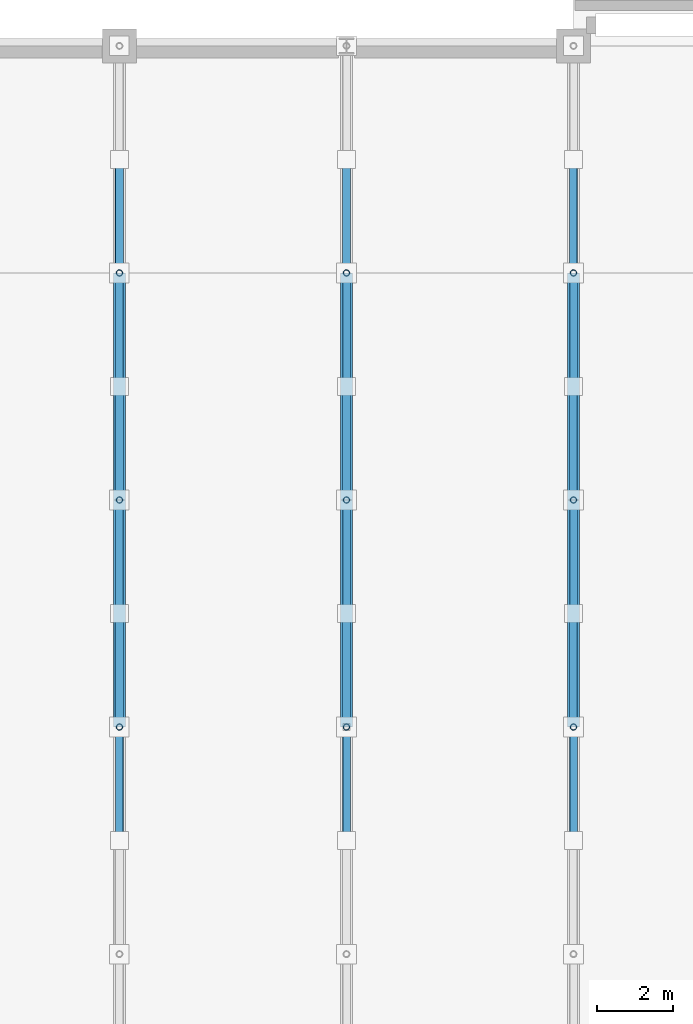
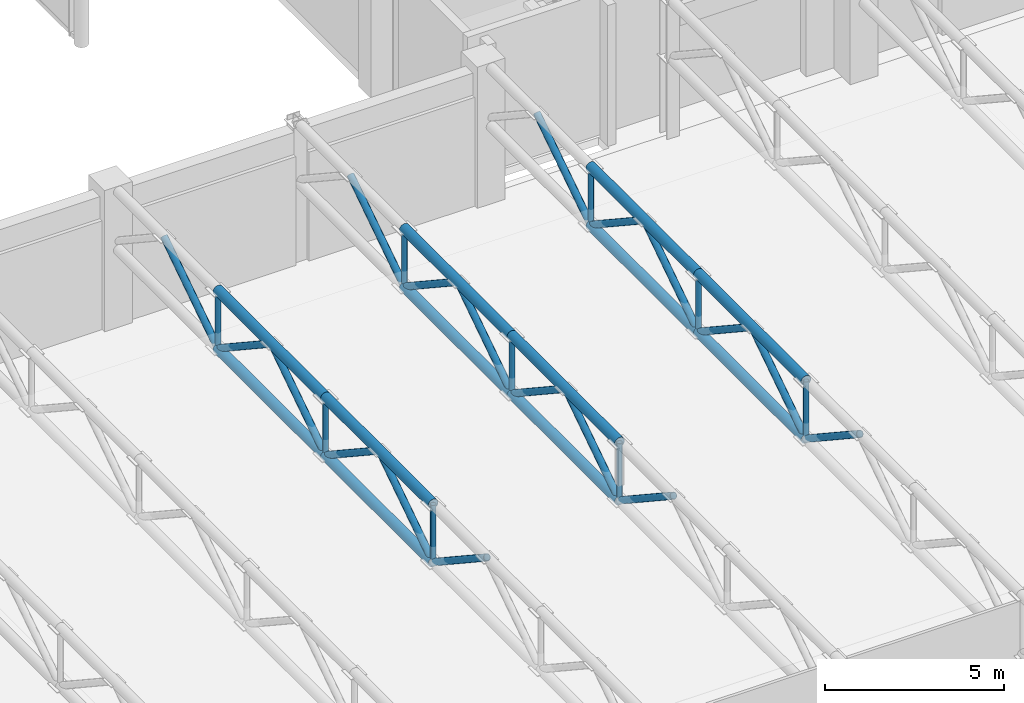
# One storey, part 26 of 123: 39 members.
"""IFC4 building model written with IfcOpenShell, lengths in metres."""

from ifc_helpers import new_model, si_unit, direction, frame, origin, origin_2d, place, context, subcontext, project, spatial, hollow_circle, extrude, material, material_profile, profile_set, type_object, element, save


model = new_model("IFC4")

# Units and contexts
model_context = context("Model", 3, precision=1e-05, world=origin(), true_north=direction((0.0, 1.0)))
body_context = subcontext(model_context, "Body", "Model", "MODEL_VIEW")
ifc_project = project(units=[si_unit("LENGTHUNIT", "METRE"), si_unit("AREAUNIT", "SQUARE_METRE"), si_unit("VOLUMEUNIT", "CUBIC_METRE"), si_unit("PLANEANGLEUNIT", "RADIAN"), si_unit("MASSUNIT", "GRAM", prefix="KILO"), si_unit("THERMODYNAMICTEMPERATUREUNIT", "KELVIN"), si_unit("POWERUNIT", "WATT")], contexts=[model_context])

# Site, building, storey
site_placement = place(None, origin())
site = spatial("IfcSite", under=ifc_project, at=site_placement, CompositionType="ELEMENT")
building_placement = place(site_placement, origin())
building = spatial("IfcBuilding", under=site, at=building_placement, Name="Phaisarnlok Congress Hotel", CompositionType="ELEMENT")
storey_placement = place(building_placement, frame((0.0, 0.0, 15.0)))
storey = spatial("IfcBuildingStorey", under=building, at=storey_placement, Name="L03", CompositionType="ELEMENT", Elevation=15.0)

# Members
ifc_material = material(Name="Steel S355", Category="steel")
ifc_material_profile_1 = material_profile(ifc_material, hollow_circle(Radius=0.084228515625, WallThickness=0.010009765625, at=origin_2d()), Name="CHS 168.3x10")
ifc_profile_set_1 = profile_set([ifc_material_profile_1], Name="Steel S355")
member_type_1 = type_object("IfcMemberType", Name="MEM-BRC-CHS168", PredefinedType="BRACE", material=ifc_profile_set_1)
for number, where, z_axis, x_axis, name in (
    (1, (114.0, 18.0, 2.64990234375), (0.0, 0.0, 1.0), (1.0, 0.0, 0.0), "Ballroom truss vertical web TB-01"),
    (2, (114.0, 24.0, 2.64990234375), (0.0, 0.0, 1.0), (1.0, 0.0, 0.0), "Ballroom truss vertical web TB-01"),
    (3, (114.0, 30.0, 2.64990234375), (0.0, 0.0, 1.0), (1.0, 0.0, 0.0), "Ballroom truss vertical web TB-01"),
    (4, (120.0, 18.0, 2.64990234375), (0.0, 0.0, 1.0), (1.0, 0.0, 0.0), "Ballroom truss vertical web TB-01"),
    (5, (120.0, 24.0, 2.64990234375), (0.0, 0.0, 1.0), (1.0, 0.0, 0.0), "Ballroom truss vertical web TB-01"),
    (6, (120.0, 30.0, 2.64990234375), (0.0, 0.0, 1.0), (1.0, 0.0, 0.0), "Ballroom truss vertical web TB-01"),
    (7, (126.0, 18.0, 2.64990234375), (0.0, 0.0, 1.0), (1.0, 0.0, 0.0), "Ballroom truss vertical web TB-01"),
    (8, (126.0, 24.0, 2.64990234375), (0.0, 0.0, 1.0), (1.0, 0.0, 0.0), "Ballroom truss vertical web TB-01"),
    (9, (126.0, 30.0, 2.64990234375), (0.0, 0.0, 1.0), (1.0, 0.0, 0.0), "Ballroom truss vertical web TB-01"),
):
    element("IfcMember", number, at=place(storey_placement, frame(where, z_axis=z_axis, x_axis=x_axis)), inside=storey, type_object=member_type_1, Name=name, PredefinedType="BRACE", context=body_context, shape_type="SweptSolid", body=[
        extrude(hollow_circle(Radius=0.084228515625, WallThickness=0.010009765625, at=origin_2d()), origin(), (0.0, 0.0, 1.0), 1.97998046875),
    ])
ifc_material_profile_2 = material_profile(ifc_material, hollow_circle(Radius=0.109619140625, WallThickness=0.012451171875, at=origin_2d()), Name="CHS 219.1x12.5")
ifc_profile_set_2 = profile_set([ifc_material_profile_2], Name="Steel S355")
member_type_2 = type_object("IfcMemberType", Name="MEM-BRC-CHS219", PredefinedType="BRACE", material=ifc_profile_set_2)
for number, where, z_axis, x_axis, name in (
    (10, (114.0, 18.0, 2.64990234375), (0.0, -0.834611904619, 0.550838423377), (1.0, 0.0, 0.0), "Ballroom truss diagonal web TB-02"),
    (11, (114.0, 18.0, 2.64990234375), (0.0, 0.834611904619, 0.550838423377), (-1.0, 0.0, 0.0), "Ballroom truss diagonal web TB-02"),
    (12, (114.0, 24.0, 2.64990234375), (0.0, -0.834611904619, 0.550838423377), (1.0, 0.0, 0.0), "Ballroom truss diagonal web TB-02"),
    (13, (114.0, 24.0, 2.64990234375), (0.0, 0.834611904619, 0.550838423377), (-1.0, 0.0, 0.0), "Ballroom truss diagonal web TB-02"),
    (14, (114.0, 30.0, 2.64990234375), (0.0, -0.834611904619, 0.550838423377), (1.0, 0.0, 0.0), "Ballroom truss diagonal web TB-02"),
    (15, (114.0, 30.0, 2.64990234375), (0.0, 0.834611904619, 0.550838423377), (-1.0, 0.0, 0.0), "Ballroom truss diagonal web TB-02"),
    (16, (120.0, 18.0, 2.64990234375), (0.0, -0.834611904619, 0.550838423377), (1.0, 0.0, 0.0), "Ballroom truss diagonal web TB-02"),
    (17, (120.0, 18.0, 2.64990234375), (0.0, 0.834611904619, 0.550838423377), (-1.0, 0.0, 0.0), "Ballroom truss diagonal web TB-02"),
    (18, (120.0, 24.0, 2.64990234375), (0.0, -0.834611904619, 0.550838423377), (1.0, 0.0, 0.0), "Ballroom truss diagonal web TB-02"),
    (19, (120.0, 24.0, 2.64990234375), (0.0, 0.834611904619, 0.550838423377), (-1.0, 0.0, 0.0), "Ballroom truss diagonal web TB-02"),
    (20, (120.0, 30.0, 2.64990234375), (0.0, -0.834611904619, 0.550838423377), (1.0, 0.0, 0.0), "Ballroom truss diagonal web TB-02"),
    (21, (120.0, 30.0, 2.64990234375), (0.0, 0.834611904619, 0.550838423377), (-1.0, 0.0, 0.0), "Ballroom truss diagonal web TB-02"),
    (22, (126.0, 18.0, 2.64990234375), (0.0, -0.834611904619, 0.550838423377), (1.0, 0.0, 0.0), "Ballroom truss diagonal web TB-02"),
    (23, (126.0, 18.0, 2.64990234375), (0.0, 0.834611904619, 0.550838423377), (-1.0, 0.0, 0.0), "Ballroom truss diagonal web TB-02"),
    (24, (126.0, 24.0, 2.64990234375), (0.0, -0.834611904619, 0.550838423377), (1.0, 0.0, 0.0), "Ballroom truss diagonal web TB-02"),
    (25, (126.0, 24.0, 2.64990234375), (0.0, 0.834611904619, 0.550838423377), (-1.0, 0.0, 0.0), "Ballroom truss diagonal web TB-02"),
    (26, (126.0, 30.0, 2.64990234375), (0.0, -0.834611904619, 0.550838423377), (1.0, 0.0, 0.0), "Ballroom truss diagonal web TB-02"),
    (27, (126.0, 30.0, 2.64990234375), (0.0, 0.834611904619, 0.550838423377), (-1.0, 0.0, 0.0), "Ballroom truss diagonal web TB-02"),
):
    element("IfcMember", number, at=place(storey_placement, frame(where, z_axis=z_axis, x_axis=x_axis)), inside=storey, type_object=member_type_2, Name=name, PredefinedType="BRACE", context=body_context, shape_type="SweptSolid", body=[
        extrude(hollow_circle(Radius=0.109619140625, WallThickness=0.012451171875, at=origin_2d()), origin(), (0.0, 0.0, 1.0), 3.594482421875),
    ])
ifc_material_profile_3 = material_profile(ifc_material, hollow_circle(Radius=0.161865234375, WallThickness=0.01611328125, at=origin_2d()), Name="CHS 323.9x16")
ifc_profile_set_3 = profile_set([ifc_material_profile_3], Name="Steel S355")
member_type_3 = type_object("IfcMemberType", Name="MEM-CHD-CHS324", PredefinedType="CHORD", material=ifc_profile_set_3)
for number, where, z_axis, x_axis, name in (
    (28, (114.0, 18.0, 4.6298828125), (0.0, 1.0, 0.0), (-1.0, 0.0, 0.0), "Ballroom truss top chord TC-02"),
    (29, (114.0, 18.0, 2.64990234375), (0.0, 1.0, 0.0), (-1.0, 0.0, 0.0), "Ballroom truss bottom chord TC-02"),
    (30, (114.0, 24.0, 4.6298828125), (0.0, 1.0, 0.0), (-1.0, 0.0, 0.0), "Ballroom truss top chord TC-02"),
    (31, (114.0, 24.0, 2.64990234375), (0.0, 1.0, 0.0), (-1.0, 0.0, 0.0), "Ballroom truss bottom chord TC-02"),
    (32, (120.0, 18.0, 4.6298828125), (0.0, 1.0, 0.0), (-1.0, 0.0, 0.0), "Ballroom truss top chord TC-02"),
    (33, (120.0, 18.0, 2.64990234375), (0.0, 1.0, 0.0), (-1.0, 0.0, 0.0), "Ballroom truss bottom chord TC-02"),
    (34, (120.0, 24.0, 4.6298828125), (0.0, 1.0, 0.0), (-1.0, 0.0, 0.0), "Ballroom truss top chord TC-02"),
    (35, (120.0, 24.0, 2.64990234375), (0.0, 1.0, 0.0), (-1.0, 0.0, 0.0), "Ballroom truss bottom chord TC-02"),
    (36, (126.0, 18.0, 4.6298828125), (0.0, 1.0, 0.0), (-1.0, 0.0, 0.0), "Ballroom truss top chord TC-02"),
    (37, (126.0, 18.0, 2.64990234375), (0.0, 1.0, 0.0), (-1.0, 0.0, 0.0), "Ballroom truss bottom chord TC-02"),
    (38, (126.0, 24.0, 4.6298828125), (0.0, 1.0, 0.0), (-1.0, 0.0, 0.0), "Ballroom truss top chord TC-02"),
    (39, (126.0, 24.0, 2.64990234375), (0.0, 1.0, 0.0), (-1.0, 0.0, 0.0), "Ballroom truss bottom chord TC-02"),
):
    element("IfcMember", number, at=place(storey_placement, frame(where, z_axis=z_axis, x_axis=x_axis)), inside=storey, type_object=member_type_3, Name=name, PredefinedType="CHORD", context=body_context, shape_type="SweptSolid", body=[
        extrude(hollow_circle(Radius=0.161865234375, WallThickness=0.01611328125, at=origin_2d()), origin(), (0.0, 0.0, 1.0), 6.0),
    ])

save(model, "model.ifc")
